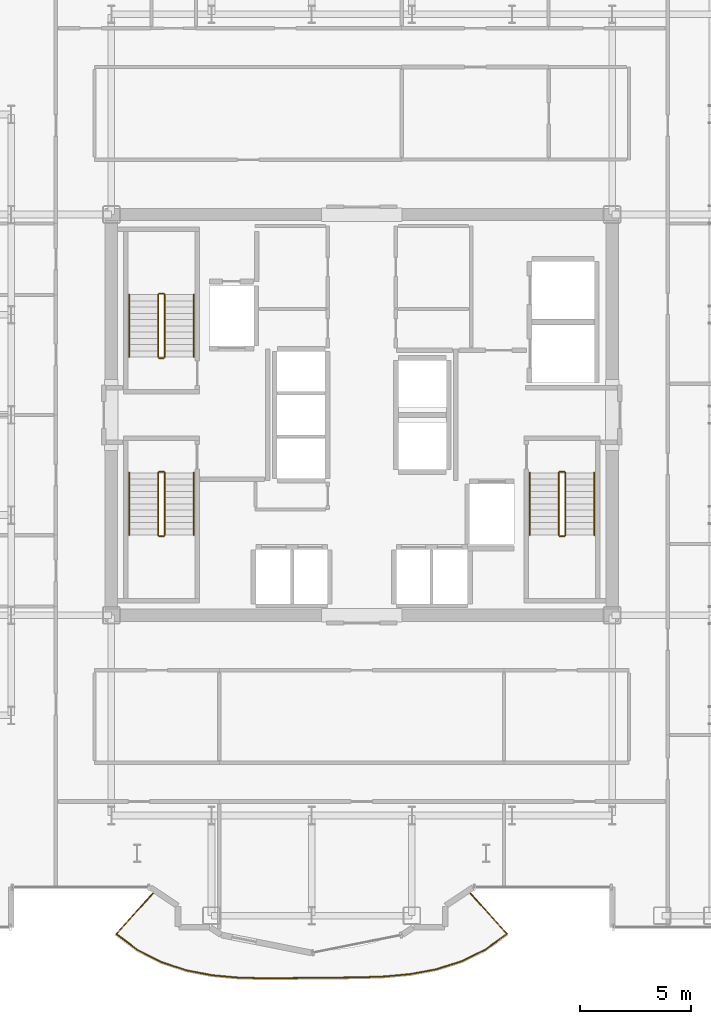
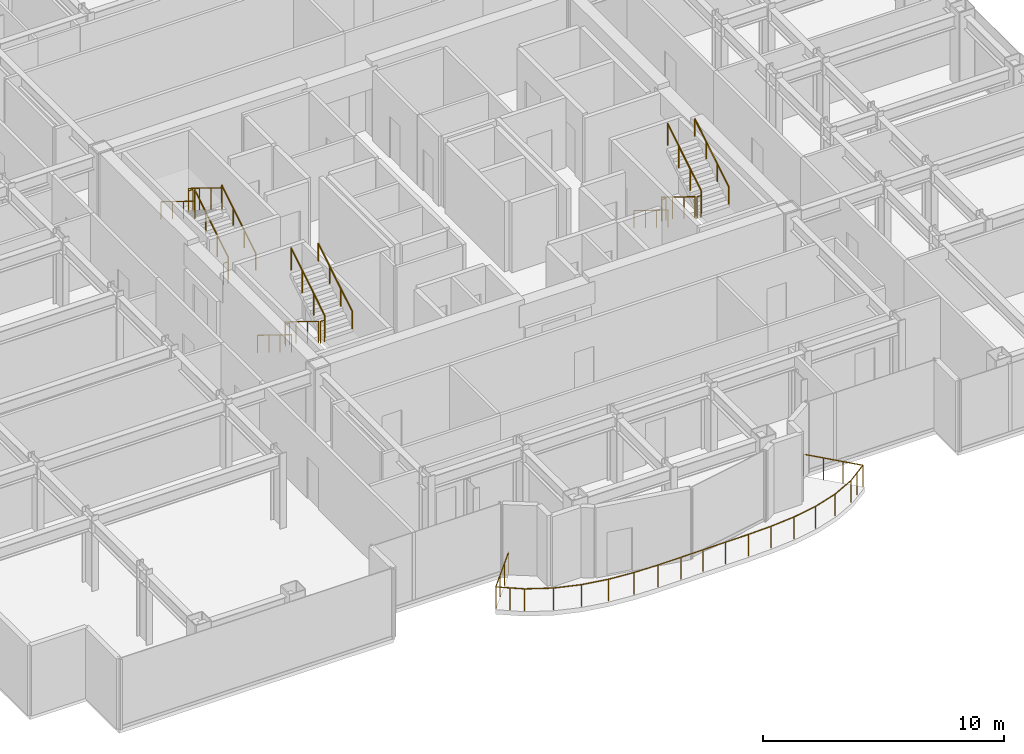
# One storey, part 21 of 22: 19 railings.
"""IFC4 building model written with IfcOpenShell, lengths in metres."""

from ifc_helpers import new_model, si_unit, direction, frame, origin, origin_2d, place, context, subcontext, project, spatial, circle, extrude, material, type_object, element, save


model = new_model("IFC4")

# Units and contexts
model_context = context("Model", 3, precision=1e-05, world=origin(), true_north=direction((0.0, 1.0)))
body_context = subcontext(model_context, "Body", "Model", "MODEL_VIEW")
ifc_project = project(units=[si_unit("LENGTHUNIT", "METRE"), si_unit("AREAUNIT", "SQUARE_METRE"), si_unit("VOLUMEUNIT", "CUBIC_METRE"), si_unit("PLANEANGLEUNIT", "RADIAN"), si_unit("MASSUNIT", "GRAM", prefix="KILO")], contexts=[model_context])

# Site, building, storey
site_placement = place(None, origin())
site = spatial("IfcSite", under=ifc_project, at=site_placement, CompositionType="ELEMENT")
building_placement = place(site_placement, origin())
building = spatial("IfcBuilding", under=site, at=building_placement, Name="Nefas-Gora Pilgrimage Tower", CompositionType="ELEMENT")
storey_placement = place(building_placement, frame((0.0, 0.0, 186.800048828125)))
storey = spatial("IfcBuildingStorey", under=building, at=storey_placement, Name="L46", CompositionType="ELEMENT", Elevation=186.800048828125)

# Railings
ifc_material_1 = material(Name="Laminated safety glass and stainless steel", Category="steel")
railing_type_1 = type_object("IfcRailingType", Name="RLG-BAL-1100", PredefinedType="BALUSTRADE", material=ifc_material_1)
railing_1_placement = place(storey_placement, frame((-9.302490234375, -21.402587890625, 0.0)))
element("IfcRailing", 1, at=railing_1_placement, inside=storey, type_object=railing_type_1, Name="L46 Wave Balcony Balustrade S2", PredefinedType="BALUSTRADE", context=body_context, shape_type="SweptSolid", body=[
    extrude(circle(Radius=0.02392578125, at=origin_2d()), frame((0.0, 0.0, 1.09619140625), z_axis=(-0.669142449017, -0.743134162129, 0.0), x_axis=(0.743134162129, -0.669142449017, 0.0)), (0.0, 0.0, 1.0), 2.580322265625),
    extrude(circle(Radius=0.02392578125, at=origin_2d()), frame((-1.7265625, -1.91748046875, 1.09619140625), z_axis=(0.799609380454, -0.600520473164, 0.0), x_axis=(0.600520473164, 0.799609380454, 0.0)), (0.0, 0.0, 1.0), 1.200439453125),
    extrude(circle(Radius=0.02392578125, at=origin_2d()), frame((-0.7666015625, -2.638427734375, 1.09619140625), z_axis=(0.890733279512, -0.45452637412, 0.0), x_axis=(0.45452637412, 0.890733279512, 0.0)), (0.0, 0.0, 1.0), 1.199462890625),
    extrude(circle(Radius=0.02392578125, at=origin_2d()), frame((0.3017578125, -3.18359375, 1.09619140625), z_axis=(0.950145160324, -0.311807912523, 0.0), x_axis=(0.311807912523, 0.950145160324, 0.0)), (0.0, 0.0, 1.0), 1.194091796875),
    extrude(circle(Radius=0.02392578125, at=origin_2d()), frame((1.436279296875, -3.555908203125, 1.09619140625), z_axis=(0.982457799544, -0.186485045284, 0.0), x_axis=(0.186485045284, 0.982457799544, 0.0)), (0.0, 0.0, 1.0), 1.180908203125),
    extrude(circle(Radius=0.02392578125, at=origin_2d()), frame((2.596435546875, -3.776123046875, 1.09619140625), z_axis=(0.996011638398, -0.089223405981, 0.0), x_axis=(0.089223405981, 0.996011638398, 0.0)), (0.0, 0.0, 1.0), 1.157470703125),
    extrude(circle(Radius=0.02392578125, at=origin_2d()), frame((3.749267578125, -3.87939453125, 1.09619140625), z_axis=(0.99967356135, -0.025549378436, 0.0), x_axis=(0.025549378436, 0.99967356135, 0.0)), (0.0, 0.0, 1.0), 1.127685546875),
    extrude(circle(Radius=0.02392578125, at=origin_2d()), frame((4.87646484375, -3.908203125, 1.09619140625), z_axis=(0.999980616702, 0.00622625245, 0.0), x_axis=(-0.00622625245, 0.999980616702, 0.0)), (0.0, 0.0, 1.0), 1.097900390625),
    extrude(circle(Radius=0.02392578125, at=origin_2d()), frame((5.974365234375, -3.9013671875, 1.09619140625), z_axis=(0.99992244912, 0.012453744271, 0.0), x_axis=(-0.012453744271, 0.99992244912, 0.0)), (0.0, 0.0, 1.0), 1.078125),
    extrude(circle(Radius=0.02392578125, at=origin_2d()), frame((7.052490234375, -3.887939453125, 1.09619140625), z_axis=(0.999968478826, 0.007939858611, 0.0), x_axis=(-0.007939858611, 0.999968478826, 0.0)), (0.0, 0.0, 1.0), 1.076171875),
    extrude(circle(Radius=0.02392578125, at=origin_2d()), frame((8.128662109375, -3.87939453125, 1.09619140625), z_axis=(0.999947171878, 0.010278786571, 0.0), x_axis=(-0.010278786571, 0.999947171878, 0.0)), (0.0, 0.0, 1.0), 1.092529296875),
    extrude(circle(Radius=0.02392578125, at=origin_2d()), frame((9.22119140625, -3.8681640625, 1.09619140625), z_axis=(0.99936174395, 0.03572260811, 0.0), x_axis=(-0.03572260811, 0.99936174395, 0.0)), (0.0, 0.0, 1.0), 1.120849609375),
    extrude(circle(Radius=0.02392578125, at=origin_2d()), frame((10.34130859375, -3.828125, 1.09619140625), z_axis=(0.995737068409, 0.092237143262, 0.0), x_axis=(-0.092237143262, 0.995737068409, 0.0)), (0.0, 0.0, 1.0), 1.1513671875),
    extrude(circle(Radius=0.02392578125, at=origin_2d()), frame((11.48779296875, -3.721923828125, 1.09619140625), z_axis=(0.983222780011, 0.182408785063, 0.0), x_axis=(-0.182408785063, 0.983222780011, 0.0)), (0.0, 0.0, 1.0), 1.176513671875),
    extrude(circle(Radius=0.02392578125, at=origin_2d()), frame((12.64453125, -3.50732421875, 1.09619140625), z_axis=(0.953347137132, 0.301876193369, 0.0), x_axis=(-0.301876193369, 0.953347137132, 0.0)), (0.0, 0.0, 1.0), 1.192138671875),
    extrude(circle(Radius=0.02392578125, at=origin_2d()), frame((13.781005859375, -3.1474609375, 1.09619140625), z_axis=(0.8975416003, 0.440929785489, 0.0), x_axis=(-0.440929785489, 0.8975416003, 0.0)), (0.0, 0.0, 1.0), 1.19873046875),
    extrude(circle(Radius=0.02392578125, at=origin_2d()), frame((14.85693359375, -2.618896484375, 1.09619140625), z_axis=(0.81049147795, 0.58575042823, 0.0), x_axis=(-0.58575042823, 0.81049147795, 0.0)), (0.0, 0.0, 1.0), 1.200439453125),
    extrude(circle(Radius=0.02392578125, at=origin_2d()), frame((15.829833984375, -1.915771484375, 1.09619140625), z_axis=(-0.669105995394, 0.743166984552, 0.0), x_axis=(-0.743166984552, -0.669105995394, 0.0)), (0.0, 0.0, 1.0), 2.577880859375),
    extrude(circle(Radius=0.02099609375, at=origin_2d()), origin(), (0.0, 0.0, 1.0), 1.072021484375),
    extrude(circle(Radius=0.02099609375, at=origin_2d()), frame((-0.575439453125, -0.63916015625, 0.0)), (0.0, 0.0, 1.0), 1.072021484375),
    extrude(circle(Radius=0.02099609375, at=origin_2d()), frame((-1.151123046875, -1.2783203125, 0.0)), (0.0, 0.0, 1.0), 1.072021484375),
    extrude(circle(Radius=0.02099609375, at=origin_2d()), frame((-1.7265625, -1.91748046875, 0.0)), (0.0, 0.0, 1.0), 1.072021484375),
    extrude(circle(Radius=0.02099609375, at=origin_2d()), frame((-1.24658203125, -2.27783203125, 0.0)), (0.0, 0.0, 1.0), 1.072021484375),
    extrude(circle(Radius=0.02099609375, at=origin_2d()), frame((-0.7666015625, -2.638427734375, 0.0)), (0.0, 0.0, 1.0), 1.072021484375),
    extrude(circle(Radius=0.02099609375, at=origin_2d()), frame((0.3017578125, -3.18359375, 0.0)), (0.0, 0.0, 1.0), 1.072021484375),
    extrude(circle(Radius=0.02099609375, at=origin_2d()), frame((1.436279296875, -3.555908203125, 0.0)), (0.0, 0.0, 1.0), 1.072021484375),
    extrude(circle(Radius=0.02099609375, at=origin_2d()), frame((2.596435546875, -3.776123046875, 0.0)), (0.0, 0.0, 1.0), 1.072021484375),
    extrude(circle(Radius=0.02099609375, at=origin_2d()), frame((3.749267578125, -3.87939453125, 0.0)), (0.0, 0.0, 1.0), 1.072021484375),
    extrude(circle(Radius=0.02099609375, at=origin_2d()), frame((4.87646484375, -3.908203125, 0.0)), (0.0, 0.0, 1.0), 1.072021484375),
    extrude(circle(Radius=0.02099609375, at=origin_2d()), frame((5.974365234375, -3.9013671875, 0.0)), (0.0, 0.0, 1.0), 1.072021484375),
    extrude(circle(Radius=0.02099609375, at=origin_2d()), frame((7.052490234375, -3.887939453125, 0.0)), (0.0, 0.0, 1.0), 1.072021484375),
    extrude(circle(Radius=0.02099609375, at=origin_2d()), frame((8.128662109375, -3.87939453125, 0.0)), (0.0, 0.0, 1.0), 1.072021484375),
    extrude(circle(Radius=0.02099609375, at=origin_2d()), frame((9.22119140625, -3.8681640625, 0.0)), (0.0, 0.0, 1.0), 1.072021484375),
    extrude(circle(Radius=0.02099609375, at=origin_2d()), frame((10.34130859375, -3.828125, 0.0)), (0.0, 0.0, 1.0), 1.072021484375),
    extrude(circle(Radius=0.02099609375, at=origin_2d()), frame((11.48779296875, -3.721923828125, 0.0)), (0.0, 0.0, 1.0), 1.072021484375),
    extrude(circle(Radius=0.02099609375, at=origin_2d()), frame((12.64453125, -3.50732421875, 0.0)), (0.0, 0.0, 1.0), 1.072021484375),
    extrude(circle(Radius=0.02099609375, at=origin_2d()), frame((13.781005859375, -3.1474609375, 0.0)), (0.0, 0.0, 1.0), 1.072021484375),
    extrude(circle(Radius=0.02099609375, at=origin_2d()), frame((14.85693359375, -2.618896484375, 0.0)), (0.0, 0.0, 1.0), 1.072021484375),
    extrude(circle(Radius=0.02099609375, at=origin_2d()), frame((15.34326171875, -2.267333984375, 0.0)), (0.0, 0.0, 1.0), 1.072021484375),
    extrude(circle(Radius=0.02099609375, at=origin_2d()), frame((15.829833984375, -1.915771484375, 0.0)), (0.0, 0.0, 1.0), 1.072021484375),
    extrude(circle(Radius=0.02099609375, at=origin_2d()), frame((15.2548828125, -1.277099609375, 0.0)), (0.0, 0.0, 1.0), 1.072021484375),
    extrude(circle(Radius=0.02099609375, at=origin_2d()), frame((14.679931640625, -0.638671875, 0.0)), (0.0, 0.0, 1.0), 1.072021484375),
    extrude(circle(Radius=0.02099609375, at=origin_2d()), frame((14.10498046875, 0.0, 0.0)), (0.0, 0.0, 1.0), 1.072021484375),
])
ifc_material_2 = material(Name="Painted galvanised steel", Category="steel")
railing_type_2 = type_object("IfcRailingType", Name="RLG-STR-GUARD-1100", PredefinedType="GUARDRAIL", material=ifc_material_2)
railing_2_placement = place(storey_placement, frame((-8.85009765625, 2.60009765625, 0.172607421875)))
element("IfcRailing", 2, at=railing_2_placement, inside=storey, type_object=railing_type_2, Name="L46 ST-01 stair guard 1", PredefinedType="GUARDRAIL", context=body_context, shape_type="SweptSolid", body=[
    extrude(circle(Radius=0.02392578125, at=origin_2d()), frame((0.0, 0.0, 1.09619140625), z_axis=(0.0, 0.851069175582, 0.525053576669), x_axis=(-1.0, 0.0, 0.0)), (0.0, 0.0, 1.0), 3.289794921875),
    extrude(circle(Radius=0.02099609375, at=origin_2d()), origin(), (0.0, 0.0, 1.0), 1.072021484375),
    extrude(circle(Radius=0.02099609375, at=origin_2d()), frame((0.0, 0.933349609375, 0.57568359375)), (0.0, 0.0, 1.0), 1.072021484375),
    extrude(circle(Radius=0.02099609375, at=origin_2d()), frame((0.0, 1.866455078125, 1.151611328125)), (0.0, 0.0, 1.0), 1.072021484375),
    extrude(circle(Radius=0.02099609375, at=origin_2d()), frame((0.0, 2.7998046875, 1.727294921875)), (0.0, 0.0, 1.0), 1.072021484375),
])
railing_3_placement = place(storey_placement, frame((-8.89990234375, 5.449951171875, 1.89990234375)))
element("IfcRailing", 3, at=railing_3_placement, inside=storey, type_object=railing_type_2, Name="L46 ST-01 stair guard 2", PredefinedType="GUARDRAIL", context=body_context, shape_type="SweptSolid", body=[
    extrude(circle(Radius=0.02392578125, at=origin_2d()), frame((0.0, 0.0, 1.09619140625), z_axis=(-1.0, 0.0, 0.0), x_axis=(0.0, -1.0, 0.0)), (0.0, 0.0, 1.0), 0.2001953125),
    extrude(circle(Radius=0.02099609375, at=origin_2d()), origin(), (0.0, 0.0, 1.0), 1.072021484375),
    extrude(circle(Radius=0.02099609375, at=origin_2d()), frame((-0.2001953125, 0.0, 0.0)), (0.0, 0.0, 1.0), 1.072021484375),
])
railing_4_placement = place(storey_placement, frame((-9.14990234375, 5.39990234375, 2.07275390625)))
element("IfcRailing", 4, at=railing_4_placement, inside=storey, type_object=railing_type_2, Name="L46 ST-01 stair guard 3", PredefinedType="GUARDRAIL", context=body_context, shape_type="SweptSolid", body=[
    extrude(circle(Radius=0.02392578125, at=origin_2d()), frame((0.0, 0.0, 1.09619140625), z_axis=(0.0, -0.851069175582, 0.525053576669), x_axis=(1.0, 0.0, 0.0)), (0.0, 0.0, 1.0), 3.289794921875),
    extrude(circle(Radius=0.02099609375, at=origin_2d()), origin(), (0.0, 0.0, 1.0), 1.072021484375),
    extrude(circle(Radius=0.02099609375, at=origin_2d()), frame((0.0, -0.933349609375, 0.57568359375)), (0.0, 0.0, 1.0), 1.072021484375),
    extrude(circle(Radius=0.02099609375, at=origin_2d()), frame((0.0, -1.866455078125, 1.151611328125)), (0.0, 0.0, 1.0), 1.072021484375),
    extrude(circle(Radius=0.02099609375, at=origin_2d()), frame((0.0, -2.7998046875, 1.727294921875)), (0.0, 0.0, 1.0), 1.072021484375),
])
railing_5_placement = place(storey_placement, frame((-8.89990234375, 2.550048828125, 0.0)))
element("IfcRailing", 5, at=railing_5_placement, inside=storey, type_object=railing_type_2, Name="L46 ST-01 stair guard 4", PredefinedType="GUARDRAIL", context=body_context, shape_type="SweptSolid", body=[
    extrude(circle(Radius=0.02392578125, at=origin_2d()), frame((0.0, 0.0, 1.09619140625), z_axis=(-1.0, 0.0, 0.0), x_axis=(0.0, -1.0, 0.0)), (0.0, 0.0, 1.0), 0.2001953125),
    extrude(circle(Radius=0.02099609375, at=origin_2d()), origin(), (0.0, 0.0, 1.0), 1.072021484375),
    extrude(circle(Radius=0.02099609375, at=origin_2d()), frame((-0.2001953125, 0.0, 0.0)), (0.0, 0.0, 1.0), 1.072021484375),
])
railing_6_placement = place(storey_placement, frame((8.85009765625, -2.60009765625, 0.172607421875)))
element("IfcRailing", 6, at=railing_6_placement, inside=storey, type_object=railing_type_2, Name="L46 ST-02 stair guard 1", PredefinedType="GUARDRAIL", context=body_context, shape_type="SweptSolid", body=[
    extrude(circle(Radius=0.02392578125, at=origin_2d()), frame((0.0, 0.0, 1.09619140625), z_axis=(0.0, -0.851069175582, 0.525053576669), x_axis=(1.0, 0.0, 0.0)), (0.0, 0.0, 1.0), 3.289794921875),
    extrude(circle(Radius=0.02099609375, at=origin_2d()), origin(), (0.0, 0.0, 1.0), 1.072021484375),
    extrude(circle(Radius=0.02099609375, at=origin_2d()), frame((0.0, -0.933349609375, 0.57568359375)), (0.0, 0.0, 1.0), 1.072021484375),
    extrude(circle(Radius=0.02099609375, at=origin_2d()), frame((0.0, -1.866455078125, 1.151611328125)), (0.0, 0.0, 1.0), 1.072021484375),
    extrude(circle(Radius=0.02099609375, at=origin_2d()), frame((0.0, -2.7998046875, 1.727294921875)), (0.0, 0.0, 1.0), 1.072021484375),
])
railing_7_placement = place(storey_placement, frame((8.89990234375, -5.449951171875, 1.89990234375)))
element("IfcRailing", 7, at=railing_7_placement, inside=storey, type_object=railing_type_2, Name="L46 ST-02 stair guard 2", PredefinedType="GUARDRAIL", context=body_context, shape_type="SweptSolid", body=[
    extrude(circle(Radius=0.02392578125, at=origin_2d()), frame((0.0, 0.0, 1.09619140625), z_axis=(1.0, 0.0, 0.0), x_axis=(0.0, 1.0, 0.0)), (0.0, 0.0, 1.0), 0.2001953125),
    extrude(circle(Radius=0.02099609375, at=origin_2d()), origin(), (0.0, 0.0, 1.0), 1.072021484375),
    extrude(circle(Radius=0.02099609375, at=origin_2d()), frame((0.2001953125, 0.0, 0.0)), (0.0, 0.0, 1.0), 1.072021484375),
])
railing_8_placement = place(storey_placement, frame((9.14990234375, -5.39990234375, 2.07275390625)))
element("IfcRailing", 8, at=railing_8_placement, inside=storey, type_object=railing_type_2, Name="L46 ST-02 stair guard 3", PredefinedType="GUARDRAIL", context=body_context, shape_type="SweptSolid", body=[
    extrude(circle(Radius=0.02392578125, at=origin_2d()), frame((0.0, 0.0, 1.09619140625), z_axis=(0.0, 0.851069175582, 0.525053576669), x_axis=(-1.0, 0.0, 0.0)), (0.0, 0.0, 1.0), 3.289794921875),
    extrude(circle(Radius=0.02099609375, at=origin_2d()), origin(), (0.0, 0.0, 1.0), 1.072021484375),
    extrude(circle(Radius=0.02099609375, at=origin_2d()), frame((0.0, 0.933349609375, 0.57568359375)), (0.0, 0.0, 1.0), 1.072021484375),
    extrude(circle(Radius=0.02099609375, at=origin_2d()), frame((0.0, 1.866455078125, 1.151611328125)), (0.0, 0.0, 1.0), 1.072021484375),
    extrude(circle(Radius=0.02099609375, at=origin_2d()), frame((0.0, 2.7998046875, 1.727294921875)), (0.0, 0.0, 1.0), 1.072021484375),
])
railing_9_placement = place(storey_placement, frame((8.89990234375, -2.550048828125, 0.0)))
element("IfcRailing", 9, at=railing_9_placement, inside=storey, type_object=railing_type_2, Name="L46 ST-02 stair guard 4", PredefinedType="GUARDRAIL", context=body_context, shape_type="SweptSolid", body=[
    extrude(circle(Radius=0.02392578125, at=origin_2d()), frame((0.0, 0.0, 1.09619140625), z_axis=(1.0, 0.0, 0.0), x_axis=(0.0, 1.0, 0.0)), (0.0, 0.0, 1.0), 0.2001953125),
    extrude(circle(Radius=0.02099609375, at=origin_2d()), origin(), (0.0, 0.0, 1.0), 1.072021484375),
    extrude(circle(Radius=0.02099609375, at=origin_2d()), frame((0.2001953125, 0.0, 0.0)), (0.0, 0.0, 1.0), 1.072021484375),
])
railing_10_placement = place(storey_placement, frame((-9.14990234375, -2.60009765625, 0.172607421875)))
element("IfcRailing", 10, at=railing_10_placement, inside=storey, type_object=railing_type_2, Name="L46 ST-03 stair guard 1", PredefinedType="GUARDRAIL", context=body_context, shape_type="SweptSolid", body=[
    extrude(circle(Radius=0.02392578125, at=origin_2d()), frame((0.0, 0.0, 1.09619140625), z_axis=(0.0, -0.851069175582, 0.525053576669), x_axis=(1.0, 0.0, 0.0)), (0.0, 0.0, 1.0), 3.289794921875),
    extrude(circle(Radius=0.02099609375, at=origin_2d()), origin(), (0.0, 0.0, 1.0), 1.072021484375),
    extrude(circle(Radius=0.02099609375, at=origin_2d()), frame((0.0, -0.933349609375, 0.57568359375)), (0.0, 0.0, 1.0), 1.072021484375),
    extrude(circle(Radius=0.02099609375, at=origin_2d()), frame((0.0, -1.866455078125, 1.151611328125)), (0.0, 0.0, 1.0), 1.072021484375),
    extrude(circle(Radius=0.02099609375, at=origin_2d()), frame((0.0, -2.7998046875, 1.727294921875)), (0.0, 0.0, 1.0), 1.072021484375),
])
railing_11_placement = place(storey_placement, frame((-9.10009765625, -5.449951171875, 1.89990234375)))
element("IfcRailing", 11, at=railing_11_placement, inside=storey, type_object=railing_type_2, Name="L46 ST-03 stair guard 2", PredefinedType="GUARDRAIL", context=body_context, shape_type="SweptSolid", body=[
    extrude(circle(Radius=0.02392578125, at=origin_2d()), frame((0.0, 0.0, 1.09619140625), z_axis=(1.0, 0.0, 0.0), x_axis=(0.0, 1.0, 0.0)), (0.0, 0.0, 1.0), 0.2001953125),
    extrude(circle(Radius=0.02099609375, at=origin_2d()), origin(), (0.0, 0.0, 1.0), 1.072021484375),
    extrude(circle(Radius=0.02099609375, at=origin_2d()), frame((0.2001953125, 0.0, 0.0)), (0.0, 0.0, 1.0), 1.072021484375),
])
railing_12_placement = place(storey_placement, frame((-8.85009765625, -5.39990234375, 2.07275390625)))
element("IfcRailing", 12, at=railing_12_placement, inside=storey, type_object=railing_type_2, Name="L46 ST-03 stair guard 3", PredefinedType="GUARDRAIL", context=body_context, shape_type="SweptSolid", body=[
    extrude(circle(Radius=0.02392578125, at=origin_2d()), frame((0.0, 0.0, 1.09619140625), z_axis=(0.0, 0.851069175582, 0.525053576669), x_axis=(-1.0, 0.0, 0.0)), (0.0, 0.0, 1.0), 3.289794921875),
    extrude(circle(Radius=0.02099609375, at=origin_2d()), origin(), (0.0, 0.0, 1.0), 1.072021484375),
    extrude(circle(Radius=0.02099609375, at=origin_2d()), frame((0.0, 0.933349609375, 0.57568359375)), (0.0, 0.0, 1.0), 1.072021484375),
    extrude(circle(Radius=0.02099609375, at=origin_2d()), frame((0.0, 1.866455078125, 1.151611328125)), (0.0, 0.0, 1.0), 1.072021484375),
    extrude(circle(Radius=0.02099609375, at=origin_2d()), frame((0.0, 2.7998046875, 1.727294921875)), (0.0, 0.0, 1.0), 1.072021484375),
])
railing_13_placement = place(storey_placement, frame((-9.10009765625, -2.550048828125, 0.0)))
element("IfcRailing", 13, at=railing_13_placement, inside=storey, type_object=railing_type_2, Name="L46 ST-03 stair guard 4", PredefinedType="GUARDRAIL", context=body_context, shape_type="SweptSolid", body=[
    extrude(circle(Radius=0.02392578125, at=origin_2d()), frame((0.0, 0.0, 1.09619140625), z_axis=(1.0, 0.0, 0.0), x_axis=(0.0, 1.0, 0.0)), (0.0, 0.0, 1.0), 0.2001953125),
    extrude(circle(Radius=0.02099609375, at=origin_2d()), origin(), (0.0, 0.0, 1.0), 1.072021484375),
    extrude(circle(Radius=0.02099609375, at=origin_2d()), frame((0.2001953125, 0.0, 0.0)), (0.0, 0.0, 1.0), 1.072021484375),
])
ifc_material_3 = material(Name="Brushed stainless steel", Category="steel")
railing_type_3 = type_object("IfcRailingType", Name="RLG-STR-HAND-900", PredefinedType="HANDRAIL", material=ifc_material_3)
railing_14_placement = place(storey_placement, frame((-7.550048828125, 2.60009765625, 0.172607421875)))
element("IfcRailing", 14, at=railing_14_placement, inside=storey, type_object=railing_type_3, Name="L46 ST-01 stair handrail 1", PredefinedType="HANDRAIL", context=body_context, shape_type="SweptSolid", body=[
    extrude(circle(Radius=0.02392578125, at=origin_2d()), frame((0.0, 0.0, 0.8759765625), z_axis=(0.0, 0.851069175582, 0.525053576669), x_axis=(-1.0, 0.0, 0.0)), (0.0, 0.0, 1.0), 3.289794921875),
    extrude(circle(Radius=0.02099609375, at=origin_2d()), origin(), (0.0, 0.0, 1.0), 0.851806640625),
    extrude(circle(Radius=0.02099609375, at=origin_2d()), frame((0.0, 0.933349609375, 0.57568359375)), (0.0, 0.0, 1.0), 0.851806640625),
    extrude(circle(Radius=0.02099609375, at=origin_2d()), frame((0.0, 1.866455078125, 1.151611328125)), (0.0, 0.0, 1.0), 0.851806640625),
    extrude(circle(Radius=0.02099609375, at=origin_2d()), frame((0.0, 2.7998046875, 1.727294921875)), (0.0, 0.0, 1.0), 0.851806640625),
])
for number, where, name in (
    (15, (-10.449951171875, 5.39990234375, 2.07275390625), "L46 ST-01 stair handrail 2"),
    (16, (7.550048828125, -2.60009765625, 0.172607421875), "L46 ST-02 stair handrail 1"),
):
    element("IfcRailing", number, at=place(storey_placement, frame(where)), inside=storey, type_object=railing_type_3, Name=name, PredefinedType="HANDRAIL", context=body_context, shape_type="SweptSolid", body=[
        extrude(circle(Radius=0.02392578125, at=origin_2d()), frame((0.0, 0.0, 0.8759765625), z_axis=(0.0, -0.851069175582, 0.525053576669), x_axis=(1.0, 0.0, 0.0)), (0.0, 0.0, 1.0), 3.289794921875),
        extrude(circle(Radius=0.02099609375, at=origin_2d()), origin(), (0.0, 0.0, 1.0), 0.851806640625),
        extrude(circle(Radius=0.02099609375, at=origin_2d()), frame((0.0, -0.933349609375, 0.57568359375)), (0.0, 0.0, 1.0), 0.851806640625),
        extrude(circle(Radius=0.02099609375, at=origin_2d()), frame((0.0, -1.866455078125, 1.151611328125)), (0.0, 0.0, 1.0), 0.851806640625),
        extrude(circle(Radius=0.02099609375, at=origin_2d()), frame((0.0, -2.7998046875, 1.727294921875)), (0.0, 0.0, 1.0), 0.851806640625),
    ])
railing_15_placement = place(storey_placement, frame((10.449951171875, -5.39990234375, 2.07275390625)))
element("IfcRailing", 17, at=railing_15_placement, inside=storey, type_object=railing_type_3, Name="L46 ST-02 stair handrail 2", PredefinedType="HANDRAIL", context=body_context, shape_type="SweptSolid", body=[
    extrude(circle(Radius=0.02392578125, at=origin_2d()), frame((0.0, 0.0, 0.8759765625), z_axis=(0.0, 0.851069175582, 0.525053576669), x_axis=(-1.0, 0.0, 0.0)), (0.0, 0.0, 1.0), 3.289794921875),
    extrude(circle(Radius=0.02099609375, at=origin_2d()), origin(), (0.0, 0.0, 1.0), 0.851806640625),
    extrude(circle(Radius=0.02099609375, at=origin_2d()), frame((0.0, 0.933349609375, 0.57568359375)), (0.0, 0.0, 1.0), 0.851806640625),
    extrude(circle(Radius=0.02099609375, at=origin_2d()), frame((0.0, 1.866455078125, 1.151611328125)), (0.0, 0.0, 1.0), 0.851806640625),
    extrude(circle(Radius=0.02099609375, at=origin_2d()), frame((0.0, 2.7998046875, 1.727294921875)), (0.0, 0.0, 1.0), 0.851806640625),
])
railing_16_placement = place(storey_placement, frame((-10.449951171875, -2.60009765625, 0.172607421875)))
element("IfcRailing", 18, at=railing_16_placement, inside=storey, type_object=railing_type_3, Name="L46 ST-03 stair handrail 1", PredefinedType="HANDRAIL", context=body_context, shape_type="SweptSolid", body=[
    extrude(circle(Radius=0.02392578125, at=origin_2d()), frame((0.0, 0.0, 0.8759765625), z_axis=(0.0, -0.851069175582, 0.525053576669), x_axis=(1.0, 0.0, 0.0)), (0.0, 0.0, 1.0), 3.289794921875),
    extrude(circle(Radius=0.02099609375, at=origin_2d()), origin(), (0.0, 0.0, 1.0), 0.851806640625),
    extrude(circle(Radius=0.02099609375, at=origin_2d()), frame((0.0, -0.933349609375, 0.57568359375)), (0.0, 0.0, 1.0), 0.851806640625),
    extrude(circle(Radius=0.02099609375, at=origin_2d()), frame((0.0, -1.866455078125, 1.151611328125)), (0.0, 0.0, 1.0), 0.851806640625),
    extrude(circle(Radius=0.02099609375, at=origin_2d()), frame((0.0, -2.7998046875, 1.727294921875)), (0.0, 0.0, 1.0), 0.851806640625),
])
railing_17_placement = place(storey_placement, frame((-7.550048828125, -5.39990234375, 2.07275390625)))
element("IfcRailing", 19, at=railing_17_placement, inside=storey, type_object=railing_type_3, Name="L46 ST-03 stair handrail 2", PredefinedType="HANDRAIL", context=body_context, shape_type="SweptSolid", body=[
    extrude(circle(Radius=0.02392578125, at=origin_2d()), frame((0.0, 0.0, 0.8759765625), z_axis=(0.0, 0.851069175582, 0.525053576669), x_axis=(-1.0, 0.0, 0.0)), (0.0, 0.0, 1.0), 3.289794921875),
    extrude(circle(Radius=0.02099609375, at=origin_2d()), origin(), (0.0, 0.0, 1.0), 0.851806640625),
    extrude(circle(Radius=0.02099609375, at=origin_2d()), frame((0.0, 0.933349609375, 0.57568359375)), (0.0, 0.0, 1.0), 0.851806640625),
    extrude(circle(Radius=0.02099609375, at=origin_2d()), frame((0.0, 1.866455078125, 1.151611328125)), (0.0, 0.0, 1.0), 0.851806640625),
    extrude(circle(Radius=0.02099609375, at=origin_2d()), frame((0.0, 2.7998046875, 1.727294921875)), (0.0, 0.0, 1.0), 0.851806640625),
])

save(model, "model.ifc")
